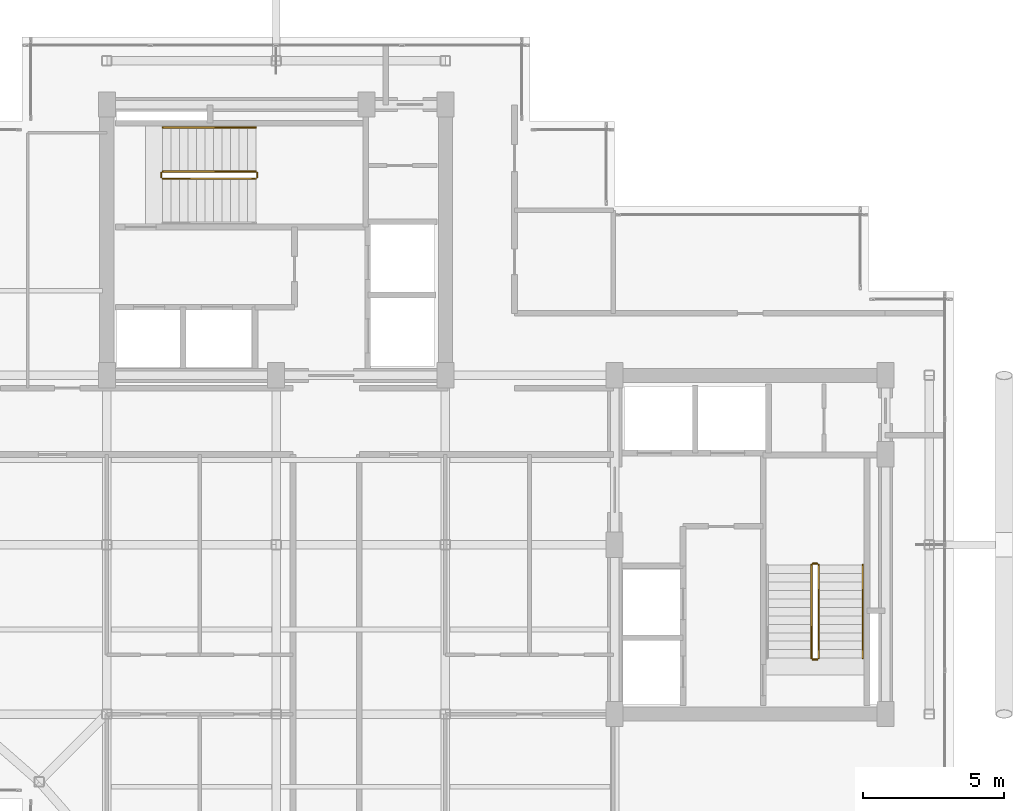
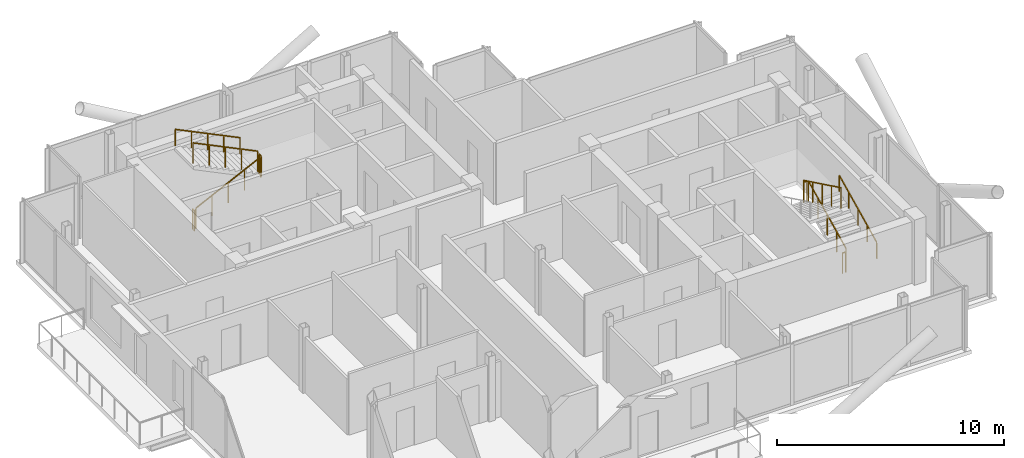
# One storey, part 18 of 18: 10 railings.
"""IFC4 building model written with IfcOpenShell, lengths in metres."""

from ifc_helpers import new_model, si_unit, direction, frame, origin, origin_2d, place, context, subcontext, project, spatial, rectangle, extrude, material, type_object, element, save


model = new_model("IFC4")

# Units and contexts
model_context = context("Model", 3, precision=1e-05, world=origin(), true_north=direction((0.0, 1.0)))
body_context = subcontext(model_context, "Body", "Model", "MODEL_VIEW")
ifc_project = project(units=[si_unit("LENGTHUNIT", "METRE"), si_unit("AREAUNIT", "SQUARE_METRE"), si_unit("VOLUMEUNIT", "CUBIC_METRE"), si_unit("PLANEANGLEUNIT", "RADIAN"), si_unit("MASSUNIT", "GRAM", prefix="KILO"), si_unit("THERMODYNAMICTEMPERATUREUNIT", "KELVIN"), si_unit("POWERUNIT", "WATT")], contexts=[model_context])

# Site, building, storey
site_placement = place(None, origin())
site = spatial("IfcSite", under=ifc_project, at=site_placement, CompositionType="ELEMENT")
building_placement = place(site_placement, origin())
building = spatial("IfcBuilding", under=site, at=building_placement, Name="Svarakhadi Broadcast Tower", CompositionType="ELEMENT")
storey_placement = place(building_placement, frame((0.0, 0.0, 253.699951171875)))
storey = spatial("IfcBuildingStorey", under=building, at=storey_placement, Name="L63", CompositionType="ELEMENT", Elevation=253.699951171875)

# Railings
ifc_material = material(Name="Anodised Bronze Aluminium AA 6063-T6", Category="aluminium")
railing_type_1 = type_object("IfcRailingType", Name="Guard_Stair_GR01", PredefinedType="GUARDRAIL", material=ifc_material)
railing_1_placement = place(storey_placement, frame((7.97998046875, 24.969970703125, 0.14599609375)))
element("IfcRailing", 1, at=railing_1_placement, inside=storey, type_object=railing_type_1, Name="L63 ST-01 stair guard 1", PredefinedType="GUARDRAIL", context=body_context, shape_type="SweptSolid", body=[
    extrude(rectangle(XDim=0.048095703125, YDim=0.048095703125, at=origin_2d()), frame((0.0, 0.0, 1.09619140625), z_axis=(0.899387838337, 0.0, 0.437151594131), x_axis=(0.0, 1.0, 0.0)), (0.0, 0.0, 1.0), 3.669189453125),
    extrude(rectangle(XDim=0.0419921875, YDim=0.0419921875, at=origin_2d()), origin(), (0.0, 0.0, 1.0), 1.072021484375),
    extrude(rectangle(XDim=0.0419921875, YDim=0.0419921875, at=origin_2d()), frame((0.824951171875, 0.0, 0.40087890625)), (0.0, 0.0, 1.0), 1.072021484375),
    extrude(rectangle(XDim=0.0419921875, YDim=0.0419921875, at=origin_2d()), frame((1.64990234375, 0.0, 0.802001953125)), (0.0, 0.0, 1.0), 1.072021484375),
    extrude(rectangle(XDim=0.0419921875, YDim=0.0419921875, at=origin_2d()), frame((2.47509765625, 0.0, 1.203125)), (0.0, 0.0, 1.0), 1.072021484375),
    extrude(rectangle(XDim=0.0419921875, YDim=0.0419921875, at=origin_2d()), frame((3.300048828125, 0.0, 1.60400390625)), (0.0, 0.0, 1.0), 1.072021484375),
])
railing_2_placement = place(storey_placement, frame((11.330078125, 25.02001953125, 1.75)))
element("IfcRailing", 2, at=railing_2_placement, inside=storey, type_object=railing_type_1, Name="L63 ST-01 stair guard 2", PredefinedType="GUARDRAIL", context=body_context, shape_type="SweptSolid", body=[
    extrude(rectangle(XDim=0.048095703125, YDim=0.048095703125, at=origin_2d()), frame((0.0, 0.0, 1.09619140625), z_axis=(0.0, 1.0, 0.0), x_axis=(-1.0, 0.0, 0.0)), (0.0, 0.0, 1.0), 0.159912109375),
    extrude(rectangle(XDim=0.0419921875, YDim=0.0419921875, at=origin_2d()), origin(), (0.0, 0.0, 1.0), 1.072021484375),
    extrude(rectangle(XDim=0.0419921875, YDim=0.0419921875, at=origin_2d()), frame((0.0, 0.159912109375, 0.0)), (0.0, 0.0, 1.0), 1.072021484375),
])
railing_3_placement = place(storey_placement, frame((11.280029296875, 25.22998046875, 1.89599609375)))
element("IfcRailing", 3, at=railing_3_placement, inside=storey, type_object=railing_type_1, Name="L63 ST-01 stair guard 3", PredefinedType="GUARDRAIL", context=body_context, shape_type="SweptSolid", body=[
    extrude(rectangle(XDim=0.048095703125, YDim=0.048095703125, at=origin_2d()), frame((0.0, 0.0, 1.09619140625), z_axis=(-0.899387838337, 0.0, 0.437151594131), x_axis=(0.0, -1.0, 0.0)), (0.0, 0.0, 1.0), 3.669189453125),
    extrude(rectangle(XDim=0.0419921875, YDim=0.0419921875, at=origin_2d()), origin(), (0.0, 0.0, 1.0), 1.072021484375),
    extrude(rectangle(XDim=0.0419921875, YDim=0.0419921875, at=origin_2d()), frame((-0.824951171875, 0.0, 0.40087890625)), (0.0, 0.0, 1.0), 1.072021484375),
    extrude(rectangle(XDim=0.0419921875, YDim=0.0419921875, at=origin_2d()), frame((-1.64990234375, 0.0, 0.802001953125)), (0.0, 0.0, 1.0), 1.072021484375),
    extrude(rectangle(XDim=0.0419921875, YDim=0.0419921875, at=origin_2d()), frame((-2.47509765625, 0.0, 1.203125)), (0.0, 0.0, 1.0), 1.072021484375),
    extrude(rectangle(XDim=0.0419921875, YDim=0.0419921875, at=origin_2d()), frame((-3.300048828125, 0.0, 1.60400390625)), (0.0, 0.0, 1.0), 1.072021484375),
])
railing_4_placement = place(storey_placement, frame((7.929931640625, 25.02001953125, 0.0)))
element("IfcRailing", 4, at=railing_4_placement, inside=storey, type_object=railing_type_1, Name="L63 ST-01 stair guard 4", PredefinedType="GUARDRAIL", context=body_context, shape_type="SweptSolid", body=[
    extrude(rectangle(XDim=0.048095703125, YDim=0.048095703125, at=origin_2d()), frame((0.0, 0.0, 1.09619140625), z_axis=(0.0, 1.0, 0.0), x_axis=(-1.0, 0.0, 0.0)), (0.0, 0.0, 1.0), 0.159912109375),
    extrude(rectangle(XDim=0.0419921875, YDim=0.0419921875, at=origin_2d()), origin(), (0.0, 0.0, 1.0), 1.072021484375),
    extrude(rectangle(XDim=0.0419921875, YDim=0.0419921875, at=origin_2d()), frame((0.0, 0.159912109375, 0.0)), (0.0, 0.0, 1.0), 1.072021484375),
])
railing_5_placement = place(storey_placement, frame((31.22998046875, 7.97998046875, 0.14599609375)))
element("IfcRailing", 5, at=railing_5_placement, inside=storey, type_object=railing_type_1, Name="L63 ST-02 stair guard 1", PredefinedType="GUARDRAIL", context=body_context, shape_type="SweptSolid", body=[
    extrude(rectangle(XDim=0.048095703125, YDim=0.048095703125, at=origin_2d()), frame((0.0, 0.0, 1.09619140625), z_axis=(0.0, 0.899387838337, 0.437151594131), x_axis=(-1.0, 0.0, 0.0)), (0.0, 0.0, 1.0), 3.669189453125),
    extrude(rectangle(XDim=0.0419921875, YDim=0.0419921875, at=origin_2d()), origin(), (0.0, 0.0, 1.0), 1.072021484375),
    extrude(rectangle(XDim=0.0419921875, YDim=0.0419921875, at=origin_2d()), frame((0.0, 0.824951171875, 0.40087890625)), (0.0, 0.0, 1.0), 1.072021484375),
    extrude(rectangle(XDim=0.0419921875, YDim=0.0419921875, at=origin_2d()), frame((0.0, 1.64990234375, 0.802001953125)), (0.0, 0.0, 1.0), 1.072021484375),
    extrude(rectangle(XDim=0.0419921875, YDim=0.0419921875, at=origin_2d()), frame((0.0, 2.47509765625, 1.203125)), (0.0, 0.0, 1.0), 1.072021484375),
    extrude(rectangle(XDim=0.0419921875, YDim=0.0419921875, at=origin_2d()), frame((0.0, 3.300048828125, 1.60400390625)), (0.0, 0.0, 1.0), 1.072021484375),
])
railing_6_placement = place(storey_placement, frame((31.179931640625, 11.330078125, 1.75)))
element("IfcRailing", 6, at=railing_6_placement, inside=storey, type_object=railing_type_1, Name="L63 ST-02 stair guard 2", PredefinedType="GUARDRAIL", context=body_context, shape_type="SweptSolid", body=[
    extrude(rectangle(XDim=0.048095703125, YDim=0.048095703125, at=origin_2d()), frame((0.0, 0.0, 1.09619140625), z_axis=(-1.0, 0.0, 0.0), x_axis=(0.0, -1.0, 0.0)), (0.0, 0.0, 1.0), 0.159912109375),
    extrude(rectangle(XDim=0.0419921875, YDim=0.0419921875, at=origin_2d()), origin(), (0.0, 0.0, 1.0), 1.072021484375),
    extrude(rectangle(XDim=0.0419921875, YDim=0.0419921875, at=origin_2d()), frame((-0.159912109375, 0.0, 0.0)), (0.0, 0.0, 1.0), 1.072021484375),
])
railing_7_placement = place(storey_placement, frame((30.969970703125, 11.280029296875, 1.89599609375)))
element("IfcRailing", 7, at=railing_7_placement, inside=storey, type_object=railing_type_1, Name="L63 ST-02 stair guard 3", PredefinedType="GUARDRAIL", context=body_context, shape_type="SweptSolid", body=[
    extrude(rectangle(XDim=0.048095703125, YDim=0.048095703125, at=origin_2d()), frame((0.0, 0.0, 1.09619140625), z_axis=(0.0, -0.899387838337, 0.437151594131), x_axis=(1.0, 0.0, 0.0)), (0.0, 0.0, 1.0), 3.669189453125),
    extrude(rectangle(XDim=0.0419921875, YDim=0.0419921875, at=origin_2d()), origin(), (0.0, 0.0, 1.0), 1.072021484375),
    extrude(rectangle(XDim=0.0419921875, YDim=0.0419921875, at=origin_2d()), frame((0.0, -0.824951171875, 0.40087890625)), (0.0, 0.0, 1.0), 1.072021484375),
    extrude(rectangle(XDim=0.0419921875, YDim=0.0419921875, at=origin_2d()), frame((0.0, -1.64990234375, 0.802001953125)), (0.0, 0.0, 1.0), 1.072021484375),
    extrude(rectangle(XDim=0.0419921875, YDim=0.0419921875, at=origin_2d()), frame((0.0, -2.47509765625, 1.203125)), (0.0, 0.0, 1.0), 1.072021484375),
    extrude(rectangle(XDim=0.0419921875, YDim=0.0419921875, at=origin_2d()), frame((0.0, -3.300048828125, 1.60400390625)), (0.0, 0.0, 1.0), 1.072021484375),
])
railing_8_placement = place(storey_placement, frame((31.179931640625, 7.929931640625, 0.0)))
element("IfcRailing", 8, at=railing_8_placement, inside=storey, type_object=railing_type_1, Name="L63 ST-02 stair guard 4", PredefinedType="GUARDRAIL", context=body_context, shape_type="SweptSolid", body=[
    extrude(rectangle(XDim=0.048095703125, YDim=0.048095703125, at=origin_2d()), frame((0.0, 0.0, 1.09619140625), z_axis=(-1.0, 0.0, 0.0), x_axis=(0.0, -1.0, 0.0)), (0.0, 0.0, 1.0), 0.159912109375),
    extrude(rectangle(XDim=0.0419921875, YDim=0.0419921875, at=origin_2d()), origin(), (0.0, 0.0, 1.0), 1.072021484375),
    extrude(rectangle(XDim=0.0419921875, YDim=0.0419921875, at=origin_2d()), frame((-0.159912109375, 0.0, 0.0)), (0.0, 0.0, 1.0), 1.072021484375),
])
railing_type_2 = type_object("IfcRailingType", Name="Handrail_Stair_HR01", PredefinedType="HANDRAIL", material=ifc_material)
railing_9_placement = place(storey_placement, frame((11.280029296875, 26.7900390625, 1.89599609375)))
element("IfcRailing", 9, at=railing_9_placement, inside=storey, type_object=railing_type_2, Name="L63 ST-01 stair handrail 2", PredefinedType="HANDRAIL", context=body_context, shape_type="SweptSolid", body=[
    extrude(rectangle(XDim=0.048095703125, YDim=0.048095703125, at=origin_2d()), frame((0.0, 0.0, 0.8759765625), z_axis=(-0.899387838337, 0.0, 0.437151594131), x_axis=(0.0, -1.0, 0.0)), (0.0, 0.0, 1.0), 3.669189453125),
    extrude(rectangle(XDim=0.0419921875, YDim=0.0419921875, at=origin_2d()), origin(), (0.0, 0.0, 1.0), 0.851806640625),
    extrude(rectangle(XDim=0.0419921875, YDim=0.0419921875, at=origin_2d()), frame((-0.824951171875, 0.0, 0.40087890625)), (0.0, 0.0, 1.0), 0.851806640625),
    extrude(rectangle(XDim=0.0419921875, YDim=0.0419921875, at=origin_2d()), frame((-1.64990234375, 0.0, 0.802001953125)), (0.0, 0.0, 1.0), 0.851806640625),
    extrude(rectangle(XDim=0.0419921875, YDim=0.0419921875, at=origin_2d()), frame((-2.47509765625, 0.0, 1.203125)), (0.0, 0.0, 1.0), 0.851806640625),
    extrude(rectangle(XDim=0.0419921875, YDim=0.0419921875, at=origin_2d()), frame((-3.300048828125, 0.0, 1.60400390625)), (0.0, 0.0, 1.0), 0.851806640625),
])
railing_10_placement = place(storey_placement, frame((32.7900390625, 7.97998046875, 0.14599609375)))
element("IfcRailing", 10, at=railing_10_placement, inside=storey, type_object=railing_type_2, Name="L63 ST-02 stair handrail 1", PredefinedType="HANDRAIL", context=body_context, shape_type="SweptSolid", body=[
    extrude(rectangle(XDim=0.048095703125, YDim=0.048095703125, at=origin_2d()), frame((0.0, 0.0, 0.8759765625), z_axis=(0.0, 0.899387838337, 0.437151594131), x_axis=(-1.0, 0.0, 0.0)), (0.0, 0.0, 1.0), 3.669189453125),
    extrude(rectangle(XDim=0.0419921875, YDim=0.0419921875, at=origin_2d()), origin(), (0.0, 0.0, 1.0), 0.851806640625),
    extrude(rectangle(XDim=0.0419921875, YDim=0.0419921875, at=origin_2d()), frame((0.0, 0.824951171875, 0.40087890625)), (0.0, 0.0, 1.0), 0.851806640625),
    extrude(rectangle(XDim=0.0419921875, YDim=0.0419921875, at=origin_2d()), frame((0.0, 1.64990234375, 0.802001953125)), (0.0, 0.0, 1.0), 0.851806640625),
    extrude(rectangle(XDim=0.0419921875, YDim=0.0419921875, at=origin_2d()), frame((0.0, 2.47509765625, 1.203125)), (0.0, 0.0, 1.0), 0.851806640625),
    extrude(rectangle(XDim=0.0419921875, YDim=0.0419921875, at=origin_2d()), frame((0.0, 3.300048828125, 1.60400390625)), (0.0, 0.0, 1.0), 0.851806640625),
])

save(model, "model.ifc")
